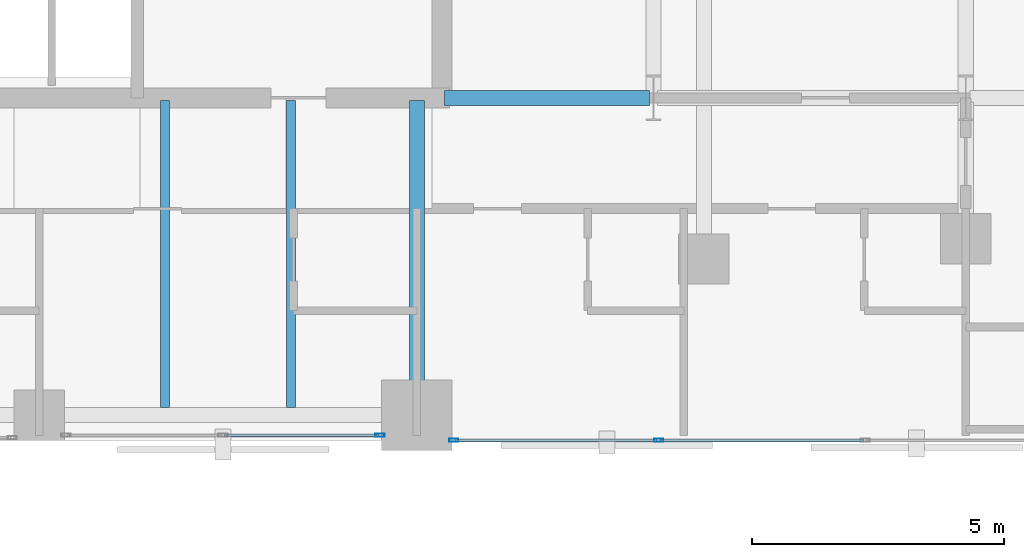
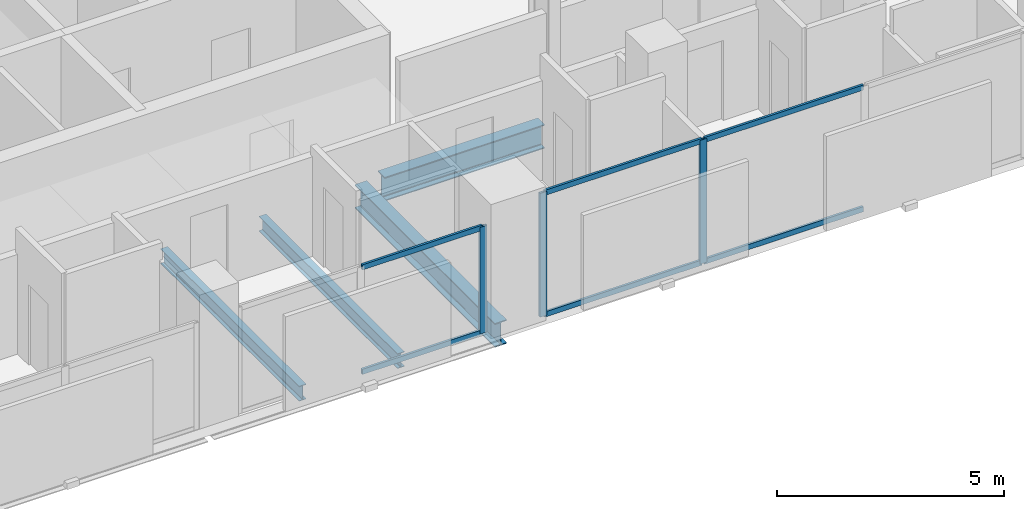
# One storey, part 14 of 32: 9 members, 4 beams, 2 elements without a shape of their own.
"""IFC4 building model written with IfcOpenShell, lengths in metres."""

from ifc_helpers import new_model, si_unit, direction, frame, origin, origin_2d, place, context, subcontext, project, spatial, hollow_rectangle, i_section, extrude, material, layer, layer_set, material_profile, profile_set, type_object, element, aggregate, save


model = new_model("IFC4")

# Units and contexts
model_context = context("Model", 3, precision=1e-05, world=origin(), true_north=direction((0.0, 1.0)))
body_context = subcontext(model_context, "Body", "Model", "MODEL_VIEW")
ifc_project = project(units=[si_unit("LENGTHUNIT", "METRE"), si_unit("AREAUNIT", "SQUARE_METRE"), si_unit("VOLUMEUNIT", "CUBIC_METRE"), si_unit("PLANEANGLEUNIT", "RADIAN"), si_unit("MASSUNIT", "GRAM", prefix="KILO")], contexts=[model_context])

# Site, building, storey
site_placement = place(None, origin())
site = spatial("IfcSite", under=ifc_project, at=site_placement, CompositionType="ELEMENT")
building_placement = place(site_placement, origin())
building = spatial("IfcBuilding", under=site, at=building_placement, Name="Catumbela Crestline Tower", CompositionType="ELEMENT")
storey_placement = place(building_placement, frame((0.0, 0.0, 33.0)))
storey = spatial("IfcBuildingStorey", under=building, at=storey_placement, Name="L07", CompositionType="ELEMENT", Elevation=33.0)

# Beams
ifc_material_1 = material(Name="Structural steel S355J2", Category="steel")
ifc_material_profile_1 = material_profile(ifc_material_1, i_section(OverallWidth=0.3, OverallDepth=0.64, WebThickness=0.0135, FlangeThickness=0.026, FilletRadius=0.027, at=origin_2d()), Name="HEA 650")
ifc_profile_set_1 = profile_set([ifc_material_profile_1], Name="Structural steel S355J2")
beam_type_1 = type_object("IfcBeamType", Name="BG-HEA650", PredefinedType="BEAM", material=ifc_profile_set_1)
beam_1_placement = place(storey_placement, frame((40.05, 30.8, -0.58), z_axis=(1.0, 0.0, 0.0), x_axis=(0.0, 1.0, 0.0)))
element("IfcBeam", 1, at=beam_1_placement, inside=storey, type_object=beam_type_1, Name="L07 Beam BM-L07-M10", PredefinedType="BEAM", context=body_context, shape_type="SweptSolid", body=[
    extrude(i_section(OverallWidth=0.3, OverallDepth=0.64, WebThickness=0.0135, FlangeThickness=0.026, FilletRadius=0.027, at=origin_2d()), origin(), (0.0, 0.0, 1.0), 4.07),
])
beam_2_placement = place(storey_placement, frame((39.5, 24.58, -0.58), z_axis=(0.0, 1.0, 0.0), x_axis=(-1.0, 0.0, 0.0)))
element("IfcBeam", 2, at=beam_2_placement, inside=storey, type_object=beam_type_1, Name="L07 Beam BM-L07-SNS34", PredefinedType="BEAM", context=body_context, shape_type="SweptSolid", body=[
    extrude(i_section(OverallWidth=0.3, OverallDepth=0.64, WebThickness=0.0135, FlangeThickness=0.026, FilletRadius=0.027, at=origin_2d()), origin(), (0.0, 0.0, 1.0), 6.17),
])
ifc_material_profile_2 = material_profile(ifc_material_1, i_section(OverallWidth=0.18, OverallDepth=0.4, WebThickness=0.0086, FlangeThickness=0.0135, FilletRadius=0.021, at=origin_2d()), Name="IPE 400")
ifc_profile_set_2 = profile_set([ifc_material_profile_2], Name="Structural steel S355J2")
beam_type_2 = type_object("IfcBeamType", Name="BJ-IPE400", PredefinedType="JOIST", material=ifc_profile_set_2)
for number, where, z_axis, x_axis, name in (
    (3, (34.5, 24.647, -0.46), (0.0, 1.0, 0.0), (-1.0, 0.0, 0.0), "L07 Joist JS-L07-SP46"),
    (4, (37.0, 24.647, -0.46), (0.0, 1.0, 0.0), (-1.0, 0.0, 0.0), "L07 Joist JS-L07-SP47"),
):
    element("IfcBeam", number, at=place(storey_placement, frame(where, z_axis=z_axis, x_axis=x_axis)), inside=storey, type_object=beam_type_2, Name=name, PredefinedType="JOIST", context=body_context, shape_type="SweptSolid", body=[
        extrude(i_section(OverallWidth=0.18, OverallDepth=0.4, WebThickness=0.0086, FlangeThickness=0.0135, FilletRadius=0.021, at=origin_2d()), origin(), (0.0, 0.0, 1.0), 6.103),
    ])

# Curtain wall, member
ifc_material_2 = material(Name="Aluminium alloy AW-6060-T66", Category="aluminium")
ifc_layer = layer(ifc_material_2, 0.18, Name="Aluminium alloy AW-6060-T66")
ifc_layer_set = layer_set([ifc_layer], Name="Aluminium alloy AW-6060-T66")
curtain_wall_type = type_object("IfcCurtainWallType", Name="CWU-Z1", PredefinedType="USERDEFINED", material=ifc_layer_set)
curtain_wall_1_placement = place(storey_placement, origin())
curtain_wall_1 = element("IfcCurtainWall", 5, at=curtain_wall_1_placement, inside=storey, type_object=curtain_wall_type, Name="L07 Unitised Curtain Wall CW-L07-E3S2", ObjectType="UNITISED", PredefinedType="USERDEFINED")
ifc_material_profile_3 = material_profile(ifc_material_2, hollow_rectangle(XDim=0.065, YDim=0.18, WallThickness=0.004, at=origin_2d()), Name="ALU 180x65x4")
ifc_profile_set_3 = profile_set([ifc_material_profile_3], Name="Aluminium alloy AW-6060-T66")
member_type_1 = type_object("IfcMemberType", Name="MUL-180X65", PredefinedType="MULLION", material=ifc_profile_set_3)
member_1_placement = place(storey_placement, frame((38.7675, 24.1, 0.0), z_axis=(0.0, 0.0, 1.0), x_axis=(0.0, 1.0, 0.0)))
member_1 = element("IfcMember", 6, at=member_1_placement, type_object=member_type_1, Name="CWU-Z1 mullion 3", PredefinedType="MULLION", context=body_context, shape_type="SweptSolid", body=[
    extrude(hollow_rectangle(XDim=0.065, YDim=0.18, WallThickness=0.004, at=origin_2d()), origin(), (0.0, 0.0, 1.0), 2.87),
])

# Curtain wall, members
curtain_wall_2_placement = place(storey_placement, origin())
curtain_wall_2 = element("IfcCurtainWall", 7, at=curtain_wall_2_placement, inside=storey, type_object=curtain_wall_type, Name="L07 Unitised Curtain Wall CW-L07-E3S3", ObjectType="UNITISED", PredefinedType="USERDEFINED")
member_2_placement = place(storey_placement, frame((40.2325, 24.0, 0.0), z_axis=(0.0, 0.0, 1.0), x_axis=(0.0, 1.0, 0.0)))
member_2 = element("IfcMember", 8, at=member_2_placement, type_object=member_type_1, Name="CWU-Z1 mullion 1", PredefinedType="MULLION", context=body_context, shape_type="SweptSolid", body=[
    extrude(hollow_rectangle(XDim=0.065, YDim=0.18, WallThickness=0.004, at=origin_2d()), origin(), (0.0, 0.0, 1.0), 3.33),
])
member_3_placement = place(storey_placement, frame((44.3, 24.0, 0.0), z_axis=(0.0, 0.0, 1.0), x_axis=(0.0, 1.0, 0.0)))
member_3 = element("IfcMember", 9, at=member_3_placement, type_object=member_type_1, Name="CWU-Z1 mullion 2", PredefinedType="MULLION", context=body_context, shape_type="SweptSolid", body=[
    extrude(hollow_rectangle(XDim=0.065, YDim=0.18, WallThickness=0.004, at=origin_2d()), origin(), (0.0, 0.0, 1.0), 3.33),
])

# Member
ifc_material_profile_4 = material_profile(ifc_material_2, hollow_rectangle(XDim=0.06, YDim=0.14, WallThickness=0.004, at=origin_2d()), Name="ALU 140x60x4")
ifc_profile_set_4 = profile_set([ifc_material_profile_4], Name="Aluminium alloy AW-6060-T66")
member_type_2 = type_object("IfcMemberType", Name="TRN-140X60", PredefinedType="USERDEFINED", material=ifc_profile_set_4)
member_4_placement = place(storey_placement, frame((35.6825, 24.1, 0.03), z_axis=(1.0, 0.0, 0.0), x_axis=(0.0, 1.0, 0.0)))
member_4 = element("IfcMember", 10, at=member_4_placement, type_object=member_type_2, Name="CWU-Z1 transom 2.1", ObjectType="TRANSOM", PredefinedType="USERDEFINED", context=body_context, shape_type="SweptSolid", body=[
    extrude(hollow_rectangle(XDim=0.06, YDim=0.14, WallThickness=0.004, at=origin_2d()), origin(), (0.0, 0.0, 1.0), 3.0525),
])

member_5_placement = place(storey_placement, frame((35.6825, 24.1, 2.84), z_axis=(1.0, 0.0, 0.0), x_axis=(0.0, 1.0, 0.0)))
member_5 = element("IfcMember", 11, at=member_5_placement, type_object=member_type_2, Name="CWU-Z1 transom 2.2", ObjectType="TRANSOM", PredefinedType="USERDEFINED", context=body_context, shape_type="SweptSolid", body=[
    extrude(hollow_rectangle(XDim=0.06, YDim=0.14, WallThickness=0.004, at=origin_2d()), origin(), (0.0, 0.0, 1.0), 3.0525),
])

aggregate(curtain_wall_1, [member_1, member_4, member_5])

member_6_placement = place(storey_placement, frame((40.265, 24.0, 0.03), z_axis=(1.0, 0.0, 0.0), x_axis=(0.0, 1.0, 0.0)))
member_6 = element("IfcMember", 12, at=member_6_placement, type_object=member_type_2, Name="CWU-Z1 transom 1.1", ObjectType="TRANSOM", PredefinedType="USERDEFINED", context=body_context, shape_type="SweptSolid", body=[
    extrude(hollow_rectangle(XDim=0.06, YDim=0.14, WallThickness=0.004, at=origin_2d()), origin(), (0.0, 0.0, 1.0), 4.0025),
])

member_7_placement = place(storey_placement, frame((40.265, 24.0, 3.3), z_axis=(1.0, 0.0, 0.0), x_axis=(0.0, 1.0, 0.0)))
member_7 = element("IfcMember", 13, at=member_7_placement, type_object=member_type_2, Name="CWU-Z1 transom 1.2", ObjectType="TRANSOM", PredefinedType="USERDEFINED", context=body_context, shape_type="SweptSolid", body=[
    extrude(hollow_rectangle(XDim=0.06, YDim=0.14, WallThickness=0.004, at=origin_2d()), origin(), (0.0, 0.0, 1.0), 4.0025),
])

member_8_placement = place(storey_placement, frame((44.3325, 24.0, 0.03), z_axis=(1.0, 0.0, 0.0), x_axis=(0.0, 1.0, 0.0)))
member_8 = element("IfcMember", 14, at=member_8_placement, type_object=member_type_2, Name="CWU-Z1 transom 2.1", ObjectType="TRANSOM", PredefinedType="USERDEFINED", context=body_context, shape_type="SweptSolid", body=[
    extrude(hollow_rectangle(XDim=0.06, YDim=0.14, WallThickness=0.004, at=origin_2d()), origin(), (0.0, 0.0, 1.0), 4.035),
])

member_9_placement = place(storey_placement, frame((44.3325, 24.0, 3.3), z_axis=(1.0, 0.0, 0.0), x_axis=(0.0, 1.0, 0.0)))
member_9 = element("IfcMember", 15, at=member_9_placement, type_object=member_type_2, Name="CWU-Z1 transom 2.2", ObjectType="TRANSOM", PredefinedType="USERDEFINED", context=body_context, shape_type="SweptSolid", body=[
    extrude(hollow_rectangle(XDim=0.06, YDim=0.14, WallThickness=0.004, at=origin_2d()), origin(), (0.0, 0.0, 1.0), 4.035),
])

aggregate(curtain_wall_2, [member_2, member_3, member_6, member_7, member_8, member_9])

save(model, "model.ifc")
